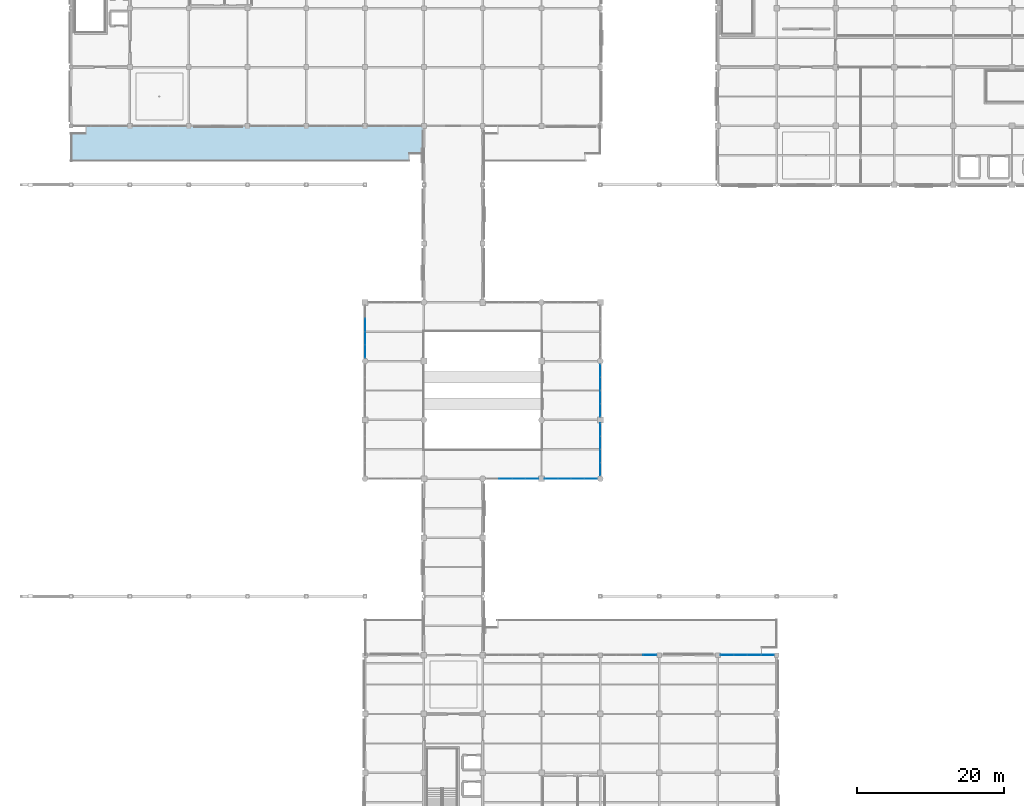
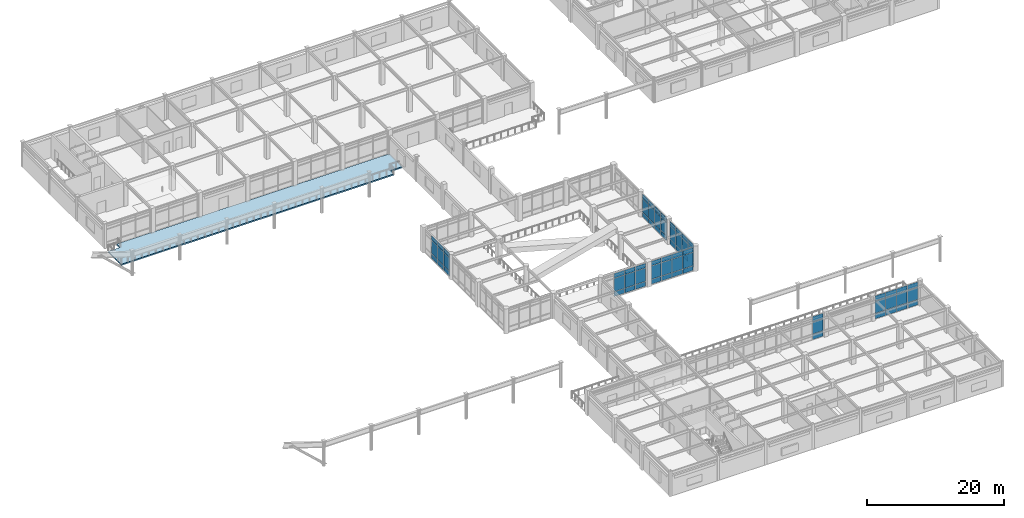
# One storey, part 56 of 78: 69 plates, 1 slab, 7 elements without a shape of their own.
"""IFC4 building model written with IfcOpenShell, lengths in metres."""

import ifcopenshell
import ifcopenshell.guid

model = None  # the IFC model being written
_history = None  # IfcOwnerHistory: only IFC2X3 demands one
_inside = {}  # id of a spatial element -> (the spatial element, [elements in it])
_under = {}  # id of a project, library or spatial element -> (it, [spatial elements below it])
_declared = {}  # id of a project -> (the project, [libraries it declares])
_typed = {}  # id of a type object -> (the type object, [elements of that type])
_made_of = {}  # id of a material, layer set ... -> (it, [elements and type objects made of it])


def new_model(schema):
    """Start an empty IFC model of exactly this schema.

    Asked for "IFC4X3", IfcOpenShell would pick the latest addendum, in which some entities
    have other attributes; the version numbers below select the first issue.
    IFC2X3 requires an IfcOwnerHistory on every rooted entity: one is made here for all.
    """
    global model, _history
    if schema == "IFC4X3":
        model = ifcopenshell.file(schema_version=(4, 3, 0, 0))
    else:
        model = ifcopenshell.file(schema=schema)
    _inside.clear()
    _under.clear()
    _declared.clear()
    _typed.clear()
    _made_of.clear()
    _history = None
    if model.schema == "IFC2X3":
        org = make("IfcOrganization", Name="unknown")
        user = make(
            "IfcPersonAndOrganization",
            ThePerson=make("IfcPerson", FamilyName="unknown"),
            TheOrganization=org,
        )
        app = make(
            "IfcApplication",
            ApplicationDeveloper=org,
            Version="unknown",
            ApplicationFullName="unknown",
            ApplicationIdentifier="unknown",
        )
        _history = make(
            "IfcOwnerHistory",
            OwningUser=user,
            OwningApplication=app,
            ChangeAction="ADDED",
            CreationDate=0,
        )
    return model


def make(cls, **values):
    """One entity of the class cls with the attributes given. An attribute that is None is left unset."""
    return model.create_entity(
        cls, **{name: value for name, value in values.items() if value is not None}
    )


def rooted(cls, **values):
    """An entity with a GlobalId (a new one), such as an element, a storey or a relation."""
    return make(cls, GlobalId=ifcopenshell.guid.new(), OwnerHistory=_history, **values)


def si_unit(unit_type, name, prefix=None):
    """IfcSIUnit, for example si_unit("LENGTHUNIT", "METRE", prefix="MILLI")."""
    return make("IfcSIUnit", UnitType=unit_type, Prefix=prefix, Name=name)


def assignment(units):
    """IfcUnitAssignment: the units of a project."""
    return None if units is None else make("IfcUnitAssignment", Units=units)


def point(xyz):
    """IfcCartesianPoint."""
    return None if xyz is None else make("IfcCartesianPoint", Coordinates=xyz)


def direction(xyz):
    """IfcDirection."""
    return None if xyz is None else make("IfcDirection", DirectionRatios=xyz)


def frame(location, z_axis=None, x_axis=None):
    """IfcAxis2Placement3D, a coordinate frame: its origin and axes. An axis left out is left unset."""
    return make(
        "IfcAxis2Placement3D",
        Location=point(location),
        Axis=direction(z_axis),
        RefDirection=direction(x_axis),
    )


def frame_2d(location, x_axis=None):
    """IfcAxis2Placement2D, a coordinate frame in the plane: its origin and x axis."""
    return make(
        "IfcAxis2Placement2D", Location=point(location), RefDirection=direction(x_axis)
    )


def origin():
    """The frame at (0, 0, 0) with its axes left unset."""
    return frame((0.0, 0.0, 0.0))


def origin_2d():
    """The frame at (0, 0) in the plane with its x axis left unset."""
    return frame_2d((0.0, 0.0))


def place(relative_to, where):
    """IfcLocalPlacement: puts the frame where relative to a parent placement (None: the world)."""
    return make(
        "IfcLocalPlacement", PlacementRelTo=relative_to, RelativePlacement=where
    )


def context(
    kind, dimensions, precision=None, world=None, true_north=None, identifier=None
):
    """IfcGeometricRepresentationContext, for example the 3D "Model" context."""
    return make(
        "IfcGeometricRepresentationContext",
        ContextIdentifier=identifier,
        ContextType=kind,
        CoordinateSpaceDimension=dimensions,
        Precision=precision,
        WorldCoordinateSystem=world,
        TrueNorth=true_north,
    )


def subcontext(parent, identifier, kind, view, scale=None):
    """IfcGeometricRepresentationSubContext, for example "Body" below "Model"."""
    return make(
        "IfcGeometricRepresentationSubContext",
        ContextIdentifier=identifier,
        ContextType=kind,
        ParentContext=parent,
        TargetScale=scale,
        TargetView=view,
    )


def project(units=None, contexts=None):
    """IfcProject with its units and contexts."""
    return rooted(
        "IfcProject",
        Name="project",
        RepresentationContexts=contexts,
        UnitsInContext=assignment(units),
    )


def spatial(cls, under=None, at=None, **own):
    """A site, building, storey or space (cls), placed at a placement, below another one or the project."""
    s = rooted(cls, ObjectPlacement=at, **own)
    if under is not None:
        _under.setdefault(under.id(), (under, []))[1].append(s)
    return s


def polyline(points):
    """IfcPolyline through the points."""
    return make("IfcPolyline", Points=[point(p) for p in points])


def profile(cls, at=None, kind="AREA", **sizes):
    """A parametric profile (cls). Its sizes go by their IFC names, for example OverallWidth=200.0."""
    return make(cls, ProfileType=kind, Position=at, **sizes)


def rectangle(**sizes):
    """IfcRectangleProfileDef."""
    return profile("IfcRectangleProfileDef", **sizes)


def outline(outer, holes=None, kind="AREA"):
    """IfcArbitraryClosedProfileDef: a profile drawn as a closed curve; with holes, ...WithVoids."""
    if holes is None:
        return make("IfcArbitraryClosedProfileDef", ProfileType=kind, OuterCurve=outer)
    return make(
        "IfcArbitraryProfileDefWithVoids",
        ProfileType=kind,
        OuterCurve=outer,
        InnerCurves=holes,
    )


def extrude(swept, where, along, depth):
    """IfcExtrudedAreaSolid: the profile swept, set in the frame where, extruded along a direction by depth."""
    return make(
        "IfcExtrudedAreaSolid",
        SweptArea=swept,
        Position=where,
        ExtrudedDirection=direction(along),
        Depth=depth,
    )


def shape(context_of_items, identifier, shape_type, items):
    """IfcShapeRepresentation: the items that make up one representation, for example the "Body"."""
    return make(
        "IfcShapeRepresentation",
        ContextOfItems=context_of_items,
        RepresentationIdentifier=identifier,
        RepresentationType=shape_type,
        Items=items,
    )


def material(Name=None, Category=None):
    """IfcMaterial."""
    return make("IfcMaterial", Name=Name, Category=Category)


def layer(
    of_material, thickness, ventilated=None, Name=None, Category=None, Priority=None
):
    """IfcMaterialLayer: one layer of a wall or slab, of a material (None: an air gap)."""
    return make(
        "IfcMaterialLayer",
        Material=of_material,
        LayerThickness=thickness,
        IsVentilated=ventilated,
        Name=Name,
        Category=Category,
        Priority=Priority,
    )


def layer_set(layers, Name=None):
    """IfcMaterialLayerSet."""
    return make("IfcMaterialLayerSet", MaterialLayers=layers, LayerSetName=Name)


def made_of(thing, what):
    """Note that an element or type object is made of a material, layer set ...; save() writes the relation."""
    if what is not None:
        _made_of.setdefault(what.id(), (what, []))[1].append(thing)
    return thing


def type_object(cls, material=None, **own):
    """A type object (cls), such as IfcWallType, which elements share."""
    return made_of(rooted(cls, **own), material)


def element(
    cls,
    number,
    at=None,
    inside=None,
    cuts=None,
    type_object=None,
    material=None,
    context=None,
    identifier="Body",
    shape_type=None,
    held_by="IfcProductDefinitionShape",
    body=None,
    shapes=None,
    **own,
):
    """One element of the class cls, such as IfcWall. Its Tag is "e" and its number.

    at: its placement. inside: the storey or other place that contains it. cuts: it is an
    opening in that element (IfcRelVoidsElement). A single representation is given by context,
    identifier, shape_type and body (its items); several are given by shapes. held_by: the class
    of the entity that holds the representations. save() writes the other relations.
    """
    e = rooted(cls, Tag="e%d" % number, ObjectPlacement=at, **own)
    if body is not None:
        shapes = [shape(context, identifier, shape_type, body)]
    if shapes is not None:
        e.Representation = make(held_by, Representations=shapes)
    if inside is not None:
        _inside.setdefault(inside.id(), (inside, []))[1].append(e)
    if cuts is not None:
        rooted(
            "IfcRelVoidsElement", RelatingBuildingElement=cuts, RelatedOpeningElement=e
        )
    if type_object is not None:
        _typed.setdefault(type_object.id(), (type_object, []))[1].append(e)
    return made_of(e, material)


def aggregate(whole, parts):
    """IfcRelAggregates: a whole, such as a stair, and the parts it consists of."""
    return rooted("IfcRelAggregates", RelatingObject=whole, RelatedObjects=parts)


def save(model, path):
    """Write the relations noted so far, then the file.

    IfcRelAggregates (storeys below a building ...), IfcRelContainedInSpatialStructure (elements
    in a storey), IfcRelDefinesByType, IfcRelAssociatesMaterial and IfcRelDeclares: one each for
    every whole, place, type object, material and project.
    """
    for whole, parts in _under.values():
        aggregate(whole, parts)
    for where, things in _inside.values():
        rooted(
            "IfcRelContainedInSpatialStructure",
            RelatedElements=things,
            RelatingStructure=where,
        )
    for kind, things in _typed.values():
        rooted("IfcRelDefinesByType", RelatedObjects=things, RelatingType=kind)
    for what, things in _made_of.values():
        rooted("IfcRelAssociatesMaterial", RelatedObjects=things, RelatingMaterial=what)
    for by, libraries in _declared.values():
        rooted("IfcRelDeclares", RelatingContext=by, RelatedDefinitions=libraries)
    model.write(path)


model = new_model("IFC4")

# Units and contexts
model_context = context("Model", 3, precision=1e-05, world=origin(), true_north=direction((0.0, 1.0)))
body_context = subcontext(model_context, "Body", "Model", "MODEL_VIEW")
ifc_project = project(units=[si_unit("LENGTHUNIT", "METRE"), si_unit("AREAUNIT", "SQUARE_METRE"), si_unit("VOLUMEUNIT", "CUBIC_METRE"), si_unit("PLANEANGLEUNIT", "RADIAN"), si_unit("MASSUNIT", "GRAM", prefix="KILO")], contexts=[model_context])

# Site, building, storey
site_placement = place(None, origin())
site = spatial("IfcSite", under=ifc_project, at=site_placement, CompositionType="ELEMENT")
building_placement = place(site_placement, origin())
building = spatial("IfcBuilding", under=site, at=building_placement, Name="Solmirada Galleria", CompositionType="ELEMENT")
storey_placement = place(building_placement, frame((0.0, 0.0, 23.89990234375)))
storey = spatial("IfcBuildingStorey", under=building, at=storey_placement, Name="L05", CompositionType="ELEMENT", Elevation=23.89990234375)

# Curtain wall, plates
ifc_material_1 = material(Name="Impact-resistant low-E double glazing", Category="glass")
curtain_wall_type_1 = type_object("IfcCurtainWallType", Name="CW-FZ3-L05-B4-L072", PredefinedType="NOTDEFINED", material=ifc_material_1)
curtain_wall_1_placement = place(storey_placement, origin())
curtain_wall_1 = element("IfcCurtainWall", 1, at=curtain_wall_1_placement, inside=storey, type_object=curtain_wall_type_1, Name="Terrace and arcade storefront CW-L05-166", PredefinedType="NOTDEFINED")
ifc_layer_1 = layer(ifc_material_1, 0.028076171875)
ifc_layer_set_1 = layer_set([ifc_layer_1], Name="Impact-resistant low-E double glazing")
plate_type_1 = type_object("IfcPlateType", Name="CW-PNL-CW33-T28", PredefinedType="CURTAIN_PANEL", material=ifc_layer_set_1)
plate_1_placement = place(storey_placement, frame((80.0, 65.31640625, 0.06005859375), z_axis=(0.0, 0.0, 1.0), x_axis=(0.0, 1.0, 0.0)))
plate_1 = element("IfcPlate", 2, at=plate_1_placement, type_object=plate_type_1, Name="CW33 panel 1.1", PredefinedType="CURTAIN_PANEL", context=body_context, shape_type="SweptSolid", body=[
    extrude(rectangle(XDim=1.708984375, YDim=0.028076171875, at=origin_2d()), origin(), (0.0, 0.0, 1.0), 0.81005859375),
])
plate_2_placement = place(storey_placement, frame((80.0, 65.31640625, 0.929931640625), z_axis=(0.0, 0.0, 1.0), x_axis=(0.0, 1.0, 0.0)))
plate_2 = element("IfcPlate", 3, at=plate_2_placement, type_object=plate_type_1, Name="CW33 panel 1.2", PredefinedType="CURTAIN_PANEL", context=body_context, shape_type="SweptSolid", body=[
    extrude(rectangle(XDim=1.708984375, YDim=0.028076171875, at=origin_2d()), origin(), (0.0, 0.0, 1.0), 2.35009765625),
])
plate_3_placement = place(storey_placement, frame((80.0, 65.31640625, 3.33984375), z_axis=(0.0, 0.0, 1.0), x_axis=(0.0, 1.0, 0.0)))
plate_3 = element("IfcPlate", 4, at=plate_3_placement, type_object=plate_type_1, Name="CW33 panel 1.3", PredefinedType="CURTAIN_PANEL", context=body_context, shape_type="SweptSolid", body=[
    extrude(rectangle(XDim=1.708984375, YDim=0.028076171875, at=origin_2d()), origin(), (0.0, 0.0, 1.0), 0.820068359375),
])
plate_4_placement = place(storey_placement, frame((80.0, 67.1005859375, 0.06005859375), z_axis=(0.0, 0.0, 1.0), x_axis=(0.0, 1.0, 0.0)))
plate_4 = element("IfcPlate", 5, at=plate_4_placement, type_object=plate_type_1, Name="CW33 panel 2.1", PredefinedType="CURTAIN_PANEL", context=body_context, shape_type="SweptSolid", body=[
    extrude(rectangle(XDim=1.739013671875, YDim=0.028076171875, at=origin_2d()), origin(), (0.0, 0.0, 1.0), 0.81005859375),
])
plate_5_placement = place(storey_placement, frame((80.0, 67.1005859375, 0.929931640625), z_axis=(0.0, 0.0, 1.0), x_axis=(0.0, 1.0, 0.0)))
plate_5 = element("IfcPlate", 6, at=plate_5_placement, type_object=plate_type_1, Name="CW33 panel 2.2", PredefinedType="CURTAIN_PANEL", context=body_context, shape_type="SweptSolid", body=[
    extrude(rectangle(XDim=1.739013671875, YDim=0.028076171875, at=origin_2d()), origin(), (0.0, 0.0, 1.0), 2.35009765625),
])
plate_6_placement = place(storey_placement, frame((80.0, 67.1005859375, 3.33984375), z_axis=(0.0, 0.0, 1.0), x_axis=(0.0, 1.0, 0.0)))
plate_6 = element("IfcPlate", 7, at=plate_6_placement, type_object=plate_type_1, Name="CW33 panel 2.3", PredefinedType="CURTAIN_PANEL", context=body_context, shape_type="SweptSolid", body=[
    extrude(rectangle(XDim=1.739013671875, YDim=0.028076171875, at=origin_2d()), origin(), (0.0, 0.0, 1.0), 0.820068359375),
])
plate_7_placement = place(storey_placement, frame((80.0, 68.8994140625, 0.06005859375), z_axis=(0.0, 0.0, 1.0), x_axis=(0.0, 1.0, 0.0)))
plate_7 = element("IfcPlate", 8, at=plate_7_placement, type_object=plate_type_1, Name="CW33 panel 3.1", PredefinedType="CURTAIN_PANEL", context=body_context, shape_type="SweptSolid", body=[
    extrude(rectangle(XDim=1.739013671875, YDim=0.028076171875, at=origin_2d()), origin(), (0.0, 0.0, 1.0), 0.81005859375),
])
plate_8_placement = place(storey_placement, frame((80.0, 68.8994140625, 0.929931640625), z_axis=(0.0, 0.0, 1.0), x_axis=(0.0, 1.0, 0.0)))
plate_8 = element("IfcPlate", 9, at=plate_8_placement, type_object=plate_type_1, Name="CW33 panel 3.2", PredefinedType="CURTAIN_PANEL", context=body_context, shape_type="SweptSolid", body=[
    extrude(rectangle(XDim=1.739013671875, YDim=0.028076171875, at=origin_2d()), origin(), (0.0, 0.0, 1.0), 2.35009765625),
])
plate_9_placement = place(storey_placement, frame((80.0, 68.8994140625, 3.33984375), z_axis=(0.0, 0.0, 1.0), x_axis=(0.0, 1.0, 0.0)))
plate_9 = element("IfcPlate", 10, at=plate_9_placement, type_object=plate_type_1, Name="CW33 panel 3.3", PredefinedType="CURTAIN_PANEL", context=body_context, shape_type="SweptSolid", body=[
    extrude(rectangle(XDim=1.739013671875, YDim=0.028076171875, at=origin_2d()), origin(), (0.0, 0.0, 1.0), 0.820068359375),
])
aggregate(curtain_wall_1, [plate_1, plate_2, plate_3, plate_4, plate_5, plate_6, plate_7, plate_8, plate_9])

curtain_wall_2_placement = place(storey_placement, origin())
curtain_wall_2 = element("IfcCurtainWall", 11, at=curtain_wall_2_placement, inside=storey, type_object=curtain_wall_type_1, Name="Terrace and arcade storefront CW-L05-177", PredefinedType="NOTDEFINED")
plate_10_placement = place(storey_placement, frame((112.0, 62.68359375, 0.06005859375), z_axis=(0.0, 0.0, 1.0), x_axis=(0.0, -1.0, 0.0)))
plate_10 = element("IfcPlate", 12, at=plate_10_placement, type_object=plate_type_1, Name="CW33 panel 1.1", PredefinedType="CURTAIN_PANEL", context=body_context, shape_type="SweptSolid", body=[
    extrude(rectangle(XDim=1.708984375, YDim=0.028076171875, at=origin_2d()), origin(), (0.0, 0.0, 1.0), 0.81005859375),
])
plate_11_placement = place(storey_placement, frame((112.0, 62.68359375, 0.929931640625), z_axis=(0.0, 0.0, 1.0), x_axis=(0.0, -1.0, 0.0)))
plate_11 = element("IfcPlate", 13, at=plate_11_placement, type_object=plate_type_1, Name="CW33 panel 1.2", PredefinedType="CURTAIN_PANEL", context=body_context, shape_type="SweptSolid", body=[
    extrude(rectangle(XDim=1.708984375, YDim=0.028076171875, at=origin_2d()), origin(), (0.0, 0.0, 1.0), 2.35009765625),
])
plate_12_placement = place(storey_placement, frame((112.0, 62.68359375, 3.33984375), z_axis=(0.0, 0.0, 1.0), x_axis=(0.0, -1.0, 0.0)))
plate_12 = element("IfcPlate", 14, at=plate_12_placement, type_object=plate_type_1, Name="CW33 panel 1.3", PredefinedType="CURTAIN_PANEL", context=body_context, shape_type="SweptSolid", body=[
    extrude(rectangle(XDim=1.708984375, YDim=0.028076171875, at=origin_2d()), origin(), (0.0, 0.0, 1.0), 0.820068359375),
])
plate_13_placement = place(storey_placement, frame((112.0, 60.8994140625, 0.06005859375), z_axis=(0.0, 0.0, 1.0), x_axis=(0.0, -1.0, 0.0)))
plate_13 = element("IfcPlate", 15, at=plate_13_placement, type_object=plate_type_1, Name="CW33 panel 2.1", PredefinedType="CURTAIN_PANEL", context=body_context, shape_type="SweptSolid", body=[
    extrude(rectangle(XDim=1.739013671875, YDim=0.028076171875, at=origin_2d()), origin(), (0.0, 0.0, 1.0), 0.81005859375),
])
plate_14_placement = place(storey_placement, frame((112.0, 60.8994140625, 0.929931640625), z_axis=(0.0, 0.0, 1.0), x_axis=(0.0, -1.0, 0.0)))
plate_14 = element("IfcPlate", 16, at=plate_14_placement, type_object=plate_type_1, Name="CW33 panel 2.2", PredefinedType="CURTAIN_PANEL", context=body_context, shape_type="SweptSolid", body=[
    extrude(rectangle(XDim=1.739013671875, YDim=0.028076171875, at=origin_2d()), origin(), (0.0, 0.0, 1.0), 2.35009765625),
])
plate_15_placement = place(storey_placement, frame((112.0, 60.8994140625, 3.33984375), z_axis=(0.0, 0.0, 1.0), x_axis=(0.0, -1.0, 0.0)))
plate_15 = element("IfcPlate", 17, at=plate_15_placement, type_object=plate_type_1, Name="CW33 panel 2.3", PredefinedType="CURTAIN_PANEL", context=body_context, shape_type="SweptSolid", body=[
    extrude(rectangle(XDim=1.739013671875, YDim=0.028076171875, at=origin_2d()), origin(), (0.0, 0.0, 1.0), 0.820068359375),
])
plate_16_placement = place(storey_placement, frame((112.0, 59.1005859375, 0.06005859375), z_axis=(0.0, 0.0, 1.0), x_axis=(0.0, -1.0, 0.0)))
plate_16 = element("IfcPlate", 18, at=plate_16_placement, type_object=plate_type_1, Name="CW33 panel 3.1", PredefinedType="CURTAIN_PANEL", context=body_context, shape_type="SweptSolid", body=[
    extrude(rectangle(XDim=1.739013671875, YDim=0.028076171875, at=origin_2d()), origin(), (0.0, 0.0, 1.0), 0.81005859375),
])
plate_17_placement = place(storey_placement, frame((112.0, 59.1005859375, 0.929931640625), z_axis=(0.0, 0.0, 1.0), x_axis=(0.0, -1.0, 0.0)))
plate_17 = element("IfcPlate", 19, at=plate_17_placement, type_object=plate_type_1, Name="CW33 panel 3.2", PredefinedType="CURTAIN_PANEL", context=body_context, shape_type="SweptSolid", body=[
    extrude(rectangle(XDim=1.739013671875, YDim=0.028076171875, at=origin_2d()), origin(), (0.0, 0.0, 1.0), 2.35009765625),
])
plate_18_placement = place(storey_placement, frame((112.0, 59.1005859375, 3.33984375), z_axis=(0.0, 0.0, 1.0), x_axis=(0.0, -1.0, 0.0)))
plate_18 = element("IfcPlate", 20, at=plate_18_placement, type_object=plate_type_1, Name="CW33 panel 3.3", PredefinedType="CURTAIN_PANEL", context=body_context, shape_type="SweptSolid", body=[
    extrude(rectangle(XDim=1.739013671875, YDim=0.028076171875, at=origin_2d()), origin(), (0.0, 0.0, 1.0), 0.820068359375),
])
plate_19_placement = place(storey_placement, frame((112.0, 57.31640625, 0.06005859375), z_axis=(0.0, 0.0, 1.0), x_axis=(0.0, -1.0, 0.0)))
plate_19 = element("IfcPlate", 21, at=plate_19_placement, type_object=plate_type_1, Name="CW33 panel 4.1", PredefinedType="CURTAIN_PANEL", context=body_context, shape_type="SweptSolid", body=[
    extrude(rectangle(XDim=1.708984375, YDim=0.028076171875, at=origin_2d()), origin(), (0.0, 0.0, 1.0), 0.81005859375),
])
plate_20_placement = place(storey_placement, frame((112.0, 57.31640625, 0.929931640625), z_axis=(0.0, 0.0, 1.0), x_axis=(0.0, -1.0, 0.0)))
plate_20 = element("IfcPlate", 22, at=plate_20_placement, type_object=plate_type_1, Name="CW33 panel 4.2", PredefinedType="CURTAIN_PANEL", context=body_context, shape_type="SweptSolid", body=[
    extrude(rectangle(XDim=1.708984375, YDim=0.028076171875, at=origin_2d()), origin(), (0.0, 0.0, 1.0), 2.35009765625),
])
plate_21_placement = place(storey_placement, frame((112.0, 57.31640625, 3.33984375), z_axis=(0.0, 0.0, 1.0), x_axis=(0.0, -1.0, 0.0)))
plate_21 = element("IfcPlate", 23, at=plate_21_placement, type_object=plate_type_1, Name="CW33 panel 4.3", PredefinedType="CURTAIN_PANEL", context=body_context, shape_type="SweptSolid", body=[
    extrude(rectangle(XDim=1.708984375, YDim=0.028076171875, at=origin_2d()), origin(), (0.0, 0.0, 1.0), 0.820068359375),
])
aggregate(curtain_wall_2, [plate_10, plate_11, plate_12, plate_13, plate_14, plate_15, plate_16, plate_17, plate_18, plate_19, plate_20, plate_21])

curtain_wall_3_placement = place(storey_placement, origin())
curtain_wall_3 = element("IfcCurtainWall", 24, at=curtain_wall_3_placement, inside=storey, type_object=curtain_wall_type_1, Name="Terrace and arcade storefront CW-L05-178", PredefinedType="NOTDEFINED")
plate_22_placement = place(storey_placement, frame((112.0, 54.68359375, 0.06005859375), z_axis=(0.0, 0.0, 1.0), x_axis=(0.0, -1.0, 0.0)))
plate_22 = element("IfcPlate", 25, at=plate_22_placement, type_object=plate_type_1, Name="CW33 panel 1.1", PredefinedType="CURTAIN_PANEL", context=body_context, shape_type="SweptSolid", body=[
    extrude(rectangle(XDim=1.708984375, YDim=0.028076171875, at=origin_2d()), origin(), (0.0, 0.0, 1.0), 0.81005859375),
])
plate_23_placement = place(storey_placement, frame((112.0, 54.68359375, 0.929931640625), z_axis=(0.0, 0.0, 1.0), x_axis=(0.0, -1.0, 0.0)))
plate_23 = element("IfcPlate", 26, at=plate_23_placement, type_object=plate_type_1, Name="CW33 panel 1.2", PredefinedType="CURTAIN_PANEL", context=body_context, shape_type="SweptSolid", body=[
    extrude(rectangle(XDim=1.708984375, YDim=0.028076171875, at=origin_2d()), origin(), (0.0, 0.0, 1.0), 2.35009765625),
])
plate_24_placement = place(storey_placement, frame((112.0, 54.68359375, 3.33984375), z_axis=(0.0, 0.0, 1.0), x_axis=(0.0, -1.0, 0.0)))
plate_24 = element("IfcPlate", 27, at=plate_24_placement, type_object=plate_type_1, Name="CW33 panel 1.3", PredefinedType="CURTAIN_PANEL", context=body_context, shape_type="SweptSolid", body=[
    extrude(rectangle(XDim=1.708984375, YDim=0.028076171875, at=origin_2d()), origin(), (0.0, 0.0, 1.0), 0.820068359375),
])
plate_25_placement = place(storey_placement, frame((112.0, 52.8994140625, 0.06005859375), z_axis=(0.0, 0.0, 1.0), x_axis=(0.0, -1.0, 0.0)))
plate_25 = element("IfcPlate", 28, at=plate_25_placement, type_object=plate_type_1, Name="CW33 panel 2.1", PredefinedType="CURTAIN_PANEL", context=body_context, shape_type="SweptSolid", body=[
    extrude(rectangle(XDim=1.739013671875, YDim=0.028076171875, at=origin_2d()), origin(), (0.0, 0.0, 1.0), 0.81005859375),
])
plate_26_placement = place(storey_placement, frame((112.0, 52.8994140625, 0.929931640625), z_axis=(0.0, 0.0, 1.0), x_axis=(0.0, -1.0, 0.0)))
plate_26 = element("IfcPlate", 29, at=plate_26_placement, type_object=plate_type_1, Name="CW33 panel 2.2", PredefinedType="CURTAIN_PANEL", context=body_context, shape_type="SweptSolid", body=[
    extrude(rectangle(XDim=1.739013671875, YDim=0.028076171875, at=origin_2d()), origin(), (0.0, 0.0, 1.0), 2.35009765625),
])
plate_27_placement = place(storey_placement, frame((112.0, 52.8994140625, 3.33984375), z_axis=(0.0, 0.0, 1.0), x_axis=(0.0, -1.0, 0.0)))
plate_27 = element("IfcPlate", 30, at=plate_27_placement, type_object=plate_type_1, Name="CW33 panel 2.3", PredefinedType="CURTAIN_PANEL", context=body_context, shape_type="SweptSolid", body=[
    extrude(rectangle(XDim=1.739013671875, YDim=0.028076171875, at=origin_2d()), origin(), (0.0, 0.0, 1.0), 0.820068359375),
])
plate_28_placement = place(storey_placement, frame((112.0, 51.1005859375, 0.06005859375), z_axis=(0.0, 0.0, 1.0), x_axis=(0.0, -1.0, 0.0)))
plate_28 = element("IfcPlate", 31, at=plate_28_placement, type_object=plate_type_1, Name="CW33 panel 3.1", PredefinedType="CURTAIN_PANEL", context=body_context, shape_type="SweptSolid", body=[
    extrude(rectangle(XDim=1.739013671875, YDim=0.028076171875, at=origin_2d()), origin(), (0.0, 0.0, 1.0), 0.81005859375),
])
plate_29_placement = place(storey_placement, frame((112.0, 51.1005859375, 0.929931640625), z_axis=(0.0, 0.0, 1.0), x_axis=(0.0, -1.0, 0.0)))
plate_29 = element("IfcPlate", 32, at=plate_29_placement, type_object=plate_type_1, Name="CW33 panel 3.2", PredefinedType="CURTAIN_PANEL", context=body_context, shape_type="SweptSolid", body=[
    extrude(rectangle(XDim=1.739013671875, YDim=0.028076171875, at=origin_2d()), origin(), (0.0, 0.0, 1.0), 2.35009765625),
])
plate_30_placement = place(storey_placement, frame((112.0, 51.1005859375, 3.33984375), z_axis=(0.0, 0.0, 1.0), x_axis=(0.0, -1.0, 0.0)))
plate_30 = element("IfcPlate", 33, at=plate_30_placement, type_object=plate_type_1, Name="CW33 panel 3.3", PredefinedType="CURTAIN_PANEL", context=body_context, shape_type="SweptSolid", body=[
    extrude(rectangle(XDim=1.739013671875, YDim=0.028076171875, at=origin_2d()), origin(), (0.0, 0.0, 1.0), 0.820068359375),
])
plate_31_placement = place(storey_placement, frame((112.0, 49.31640625, 0.06005859375), z_axis=(0.0, 0.0, 1.0), x_axis=(0.0, -1.0, 0.0)))
plate_31 = element("IfcPlate", 34, at=plate_31_placement, type_object=plate_type_1, Name="CW33 panel 4.1", PredefinedType="CURTAIN_PANEL", context=body_context, shape_type="SweptSolid", body=[
    extrude(rectangle(XDim=1.708984375, YDim=0.028076171875, at=origin_2d()), origin(), (0.0, 0.0, 1.0), 0.81005859375),
])
plate_32_placement = place(storey_placement, frame((112.0, 49.31640625, 0.929931640625), z_axis=(0.0, 0.0, 1.0), x_axis=(0.0, -1.0, 0.0)))
plate_32 = element("IfcPlate", 35, at=plate_32_placement, type_object=plate_type_1, Name="CW33 panel 4.2", PredefinedType="CURTAIN_PANEL", context=body_context, shape_type="SweptSolid", body=[
    extrude(rectangle(XDim=1.708984375, YDim=0.028076171875, at=origin_2d()), origin(), (0.0, 0.0, 1.0), 2.35009765625),
])
plate_33_placement = place(storey_placement, frame((112.0, 49.31640625, 3.33984375), z_axis=(0.0, 0.0, 1.0), x_axis=(0.0, -1.0, 0.0)))
plate_33 = element("IfcPlate", 36, at=plate_33_placement, type_object=plate_type_1, Name="CW33 panel 4.3", PredefinedType="CURTAIN_PANEL", context=body_context, shape_type="SweptSolid", body=[
    extrude(rectangle(XDim=1.708984375, YDim=0.028076171875, at=origin_2d()), origin(), (0.0, 0.0, 1.0), 0.820068359375),
])
aggregate(curtain_wall_3, [plate_22, plate_23, plate_24, plate_25, plate_26, plate_27, plate_28, plate_29, plate_30, plate_31, plate_32, plate_33])

curtain_wall_4_placement = place(storey_placement, origin())
curtain_wall_4 = element("IfcCurtainWall", 37, at=curtain_wall_4_placement, inside=storey, type_object=curtain_wall_type_1, Name="Terrace and arcade storefront CW-L05-179", PredefinedType="NOTDEFINED")
plate_34_placement = place(storey_placement, frame((110.68359375, 48.0, 0.06005859375), z_axis=(0.0, 0.0, 1.0), x_axis=(-1.0, 0.0, 0.0)))
plate_34 = element("IfcPlate", 38, at=plate_34_placement, type_object=plate_type_1, Name="CW33 panel 1.1", PredefinedType="CURTAIN_PANEL", context=body_context, shape_type="SweptSolid", body=[
    extrude(rectangle(XDim=1.708984375, YDim=0.028076171875, at=origin_2d()), origin(), (0.0, 0.0, 1.0), 0.81005859375),
])
plate_35_placement = place(storey_placement, frame((110.68359375, 48.0, 0.929931640625), z_axis=(0.0, 0.0, 1.0), x_axis=(-1.0, 0.0, 0.0)))
plate_35 = element("IfcPlate", 39, at=plate_35_placement, type_object=plate_type_1, Name="CW33 panel 1.2", PredefinedType="CURTAIN_PANEL", context=body_context, shape_type="SweptSolid", body=[
    extrude(rectangle(XDim=1.708984375, YDim=0.028076171875, at=origin_2d()), origin(), (0.0, 0.0, 1.0), 2.35009765625),
])
plate_36_placement = place(storey_placement, frame((110.68359375, 48.0, 3.33984375), z_axis=(0.0, 0.0, 1.0), x_axis=(-1.0, 0.0, 0.0)))
plate_36 = element("IfcPlate", 40, at=plate_36_placement, type_object=plate_type_1, Name="CW33 panel 1.3", PredefinedType="CURTAIN_PANEL", context=body_context, shape_type="SweptSolid", body=[
    extrude(rectangle(XDim=1.708984375, YDim=0.028076171875, at=origin_2d()), origin(), (0.0, 0.0, 1.0), 0.820068359375),
])
plate_37_placement = place(storey_placement, frame((108.8994140625, 48.0, 0.06005859375), z_axis=(0.0, 0.0, 1.0), x_axis=(-1.0, 0.0, 0.0)))
plate_37 = element("IfcPlate", 41, at=plate_37_placement, type_object=plate_type_1, Name="CW33 panel 2.1", PredefinedType="CURTAIN_PANEL", context=body_context, shape_type="SweptSolid", body=[
    extrude(rectangle(XDim=1.739013671875, YDim=0.028076171875, at=origin_2d()), origin(), (0.0, 0.0, 1.0), 0.81005859375),
])
plate_38_placement = place(storey_placement, frame((108.8994140625, 48.0, 0.929931640625), z_axis=(0.0, 0.0, 1.0), x_axis=(-1.0, 0.0, 0.0)))
plate_38 = element("IfcPlate", 42, at=plate_38_placement, type_object=plate_type_1, Name="CW33 panel 2.2", PredefinedType="CURTAIN_PANEL", context=body_context, shape_type="SweptSolid", body=[
    extrude(rectangle(XDim=1.739013671875, YDim=0.028076171875, at=origin_2d()), origin(), (0.0, 0.0, 1.0), 2.35009765625),
])
plate_39_placement = place(storey_placement, frame((108.8994140625, 48.0, 3.33984375), z_axis=(0.0, 0.0, 1.0), x_axis=(-1.0, 0.0, 0.0)))
plate_39 = element("IfcPlate", 43, at=plate_39_placement, type_object=plate_type_1, Name="CW33 panel 2.3", PredefinedType="CURTAIN_PANEL", context=body_context, shape_type="SweptSolid", body=[
    extrude(rectangle(XDim=1.739013671875, YDim=0.028076171875, at=origin_2d()), origin(), (0.0, 0.0, 1.0), 0.820068359375),
])
plate_40_placement = place(storey_placement, frame((107.1005859375, 48.0, 0.06005859375), z_axis=(0.0, 0.0, 1.0), x_axis=(-1.0, 0.0, 0.0)))
plate_40 = element("IfcPlate", 44, at=plate_40_placement, type_object=plate_type_1, Name="CW33 panel 3.1", PredefinedType="CURTAIN_PANEL", context=body_context, shape_type="SweptSolid", body=[
    extrude(rectangle(XDim=1.739013671875, YDim=0.028076171875, at=origin_2d()), origin(), (0.0, 0.0, 1.0), 0.81005859375),
])
plate_41_placement = place(storey_placement, frame((107.1005859375, 48.0, 0.929931640625), z_axis=(0.0, 0.0, 1.0), x_axis=(-1.0, 0.0, 0.0)))
plate_41 = element("IfcPlate", 45, at=plate_41_placement, type_object=plate_type_1, Name="CW33 panel 3.2", PredefinedType="CURTAIN_PANEL", context=body_context, shape_type="SweptSolid", body=[
    extrude(rectangle(XDim=1.739013671875, YDim=0.028076171875, at=origin_2d()), origin(), (0.0, 0.0, 1.0), 2.35009765625),
])
plate_42_placement = place(storey_placement, frame((107.1005859375, 48.0, 3.33984375), z_axis=(0.0, 0.0, 1.0), x_axis=(-1.0, 0.0, 0.0)))
plate_42 = element("IfcPlate", 46, at=plate_42_placement, type_object=plate_type_1, Name="CW33 panel 3.3", PredefinedType="CURTAIN_PANEL", context=body_context, shape_type="SweptSolid", body=[
    extrude(rectangle(XDim=1.739013671875, YDim=0.028076171875, at=origin_2d()), origin(), (0.0, 0.0, 1.0), 0.820068359375),
])
plate_43_placement = place(storey_placement, frame((105.31640625, 48.0, 0.06005859375), z_axis=(0.0, 0.0, 1.0), x_axis=(-1.0, 0.0, 0.0)))
plate_43 = element("IfcPlate", 47, at=plate_43_placement, type_object=plate_type_1, Name="CW33 panel 4.1", PredefinedType="CURTAIN_PANEL", context=body_context, shape_type="SweptSolid", body=[
    extrude(rectangle(XDim=1.708984375, YDim=0.028076171875, at=origin_2d()), origin(), (0.0, 0.0, 1.0), 0.81005859375),
])
plate_44_placement = place(storey_placement, frame((105.31640625, 48.0, 0.929931640625), z_axis=(0.0, 0.0, 1.0), x_axis=(-1.0, 0.0, 0.0)))
plate_44 = element("IfcPlate", 48, at=plate_44_placement, type_object=plate_type_1, Name="CW33 panel 4.2", PredefinedType="CURTAIN_PANEL", context=body_context, shape_type="SweptSolid", body=[
    extrude(rectangle(XDim=1.708984375, YDim=0.028076171875, at=origin_2d()), origin(), (0.0, 0.0, 1.0), 2.35009765625),
])
plate_45_placement = place(storey_placement, frame((105.31640625, 48.0, 3.33984375), z_axis=(0.0, 0.0, 1.0), x_axis=(-1.0, 0.0, 0.0)))
plate_45 = element("IfcPlate", 49, at=plate_45_placement, type_object=plate_type_1, Name="CW33 panel 4.3", PredefinedType="CURTAIN_PANEL", context=body_context, shape_type="SweptSolid", body=[
    extrude(rectangle(XDim=1.708984375, YDim=0.028076171875, at=origin_2d()), origin(), (0.0, 0.0, 1.0), 0.820068359375),
])
aggregate(curtain_wall_4, [plate_34, plate_35, plate_36, plate_37, plate_38, plate_39, plate_40, plate_41, plate_42, plate_43, plate_44, plate_45])

curtain_wall_5_placement = place(storey_placement, origin())
curtain_wall_5 = element("IfcCurtainWall", 50, at=curtain_wall_5_placement, inside=storey, type_object=curtain_wall_type_1, Name="Terrace and arcade storefront CW-L05-180", PredefinedType="NOTDEFINED")
plate_46_placement = place(storey_placement, frame((102.68359375, 48.0, 0.06005859375), z_axis=(0.0, 0.0, 1.0), x_axis=(-1.0, 0.0, 0.0)))
plate_46 = element("IfcPlate", 51, at=plate_46_placement, type_object=plate_type_1, Name="CW33 panel 1.1", PredefinedType="CURTAIN_PANEL", context=body_context, shape_type="SweptSolid", body=[
    extrude(rectangle(XDim=1.708984375, YDim=0.028076171875, at=origin_2d()), origin(), (0.0, 0.0, 1.0), 0.81005859375),
])
plate_47_placement = place(storey_placement, frame((102.68359375, 48.0, 0.929931640625), z_axis=(0.0, 0.0, 1.0), x_axis=(-1.0, 0.0, 0.0)))
plate_47 = element("IfcPlate", 52, at=plate_47_placement, type_object=plate_type_1, Name="CW33 panel 1.2", PredefinedType="CURTAIN_PANEL", context=body_context, shape_type="SweptSolid", body=[
    extrude(rectangle(XDim=1.708984375, YDim=0.028076171875, at=origin_2d()), origin(), (0.0, 0.0, 1.0), 2.35009765625),
])
plate_48_placement = place(storey_placement, frame((102.68359375, 48.0, 3.33984375), z_axis=(0.0, 0.0, 1.0), x_axis=(-1.0, 0.0, 0.0)))
plate_48 = element("IfcPlate", 53, at=plate_48_placement, type_object=plate_type_1, Name="CW33 panel 1.3", PredefinedType="CURTAIN_PANEL", context=body_context, shape_type="SweptSolid", body=[
    extrude(rectangle(XDim=1.708984375, YDim=0.028076171875, at=origin_2d()), origin(), (0.0, 0.0, 1.0), 0.820068359375),
])
plate_49_placement = place(storey_placement, frame((100.8994140625, 48.0, 0.06005859375), z_axis=(0.0, 0.0, 1.0), x_axis=(-1.0, 0.0, 0.0)))
plate_49 = element("IfcPlate", 54, at=plate_49_placement, type_object=plate_type_1, Name="CW33 panel 2.1", PredefinedType="CURTAIN_PANEL", context=body_context, shape_type="SweptSolid", body=[
    extrude(rectangle(XDim=1.739013671875, YDim=0.028076171875, at=origin_2d()), origin(), (0.0, 0.0, 1.0), 0.81005859375),
])
plate_50_placement = place(storey_placement, frame((100.8994140625, 48.0, 0.929931640625), z_axis=(0.0, 0.0, 1.0), x_axis=(-1.0, 0.0, 0.0)))
plate_50 = element("IfcPlate", 55, at=plate_50_placement, type_object=plate_type_1, Name="CW33 panel 2.2", PredefinedType="CURTAIN_PANEL", context=body_context, shape_type="SweptSolid", body=[
    extrude(rectangle(XDim=1.739013671875, YDim=0.028076171875, at=origin_2d()), origin(), (0.0, 0.0, 1.0), 2.35009765625),
])
plate_51_placement = place(storey_placement, frame((100.8994140625, 48.0, 3.33984375), z_axis=(0.0, 0.0, 1.0), x_axis=(-1.0, 0.0, 0.0)))
plate_51 = element("IfcPlate", 56, at=plate_51_placement, type_object=plate_type_1, Name="CW33 panel 2.3", PredefinedType="CURTAIN_PANEL", context=body_context, shape_type="SweptSolid", body=[
    extrude(rectangle(XDim=1.739013671875, YDim=0.028076171875, at=origin_2d()), origin(), (0.0, 0.0, 1.0), 0.820068359375),
])
plate_52_placement = place(storey_placement, frame((99.1005859375, 48.0, 0.06005859375), z_axis=(0.0, 0.0, 1.0), x_axis=(-1.0, 0.0, 0.0)))
plate_52 = element("IfcPlate", 57, at=plate_52_placement, type_object=plate_type_1, Name="CW33 panel 3.1", PredefinedType="CURTAIN_PANEL", context=body_context, shape_type="SweptSolid", body=[
    extrude(rectangle(XDim=1.739013671875, YDim=0.028076171875, at=origin_2d()), origin(), (0.0, 0.0, 1.0), 0.81005859375),
])
plate_53_placement = place(storey_placement, frame((99.1005859375, 48.0, 0.929931640625), z_axis=(0.0, 0.0, 1.0), x_axis=(-1.0, 0.0, 0.0)))
plate_53 = element("IfcPlate", 58, at=plate_53_placement, type_object=plate_type_1, Name="CW33 panel 3.2", PredefinedType="CURTAIN_PANEL", context=body_context, shape_type="SweptSolid", body=[
    extrude(rectangle(XDim=1.739013671875, YDim=0.028076171875, at=origin_2d()), origin(), (0.0, 0.0, 1.0), 2.35009765625),
])
plate_54_placement = place(storey_placement, frame((99.1005859375, 48.0, 3.33984375), z_axis=(0.0, 0.0, 1.0), x_axis=(-1.0, 0.0, 0.0)))
plate_54 = element("IfcPlate", 59, at=plate_54_placement, type_object=plate_type_1, Name="CW33 panel 3.3", PredefinedType="CURTAIN_PANEL", context=body_context, shape_type="SweptSolid", body=[
    extrude(rectangle(XDim=1.739013671875, YDim=0.028076171875, at=origin_2d()), origin(), (0.0, 0.0, 1.0), 0.820068359375),
])
aggregate(curtain_wall_5, [plate_46, plate_47, plate_48, plate_49, plate_50, plate_51, plate_52, plate_53, plate_54])

curtain_wall_type_2 = type_object("IfcCurtainWallType", Name="CW-FZ5-L05-B4-L074", PredefinedType="NOTDEFINED", material=ifc_material_1)
curtain_wall_6_placement = place(storey_placement, origin())
curtain_wall_6 = element("IfcCurtainWall", 60, at=curtain_wall_6_placement, inside=storey, type_object=curtain_wall_type_2, Name="Terrace and arcade storefront CW-L05-183", PredefinedType="NOTDEFINED")
ifc_layer_2 = layer(ifc_material_1, 0.048095703125)
ifc_layer_set_2 = layer_set([ifc_layer_2], Name="Impact-resistant low-E double glazing")
plate_type_2 = type_object("IfcPlateType", Name="CW-PNL-CW37-T48", PredefinedType="CURTAIN_PANEL", material=ifc_layer_set_2)
plate_55_placement = place(storey_placement, frame((118.73974609375, 24.0, 0.06005859375), z_axis=(0.0, 0.0, 1.0), x_axis=(1.0, 0.0, 0.0)))
plate_55 = element("IfcPlate", 61, at=plate_55_placement, type_object=plate_type_2, Name="CW37 panel 4.1", PredefinedType="CURTAIN_PANEL", context=body_context, shape_type="SweptSolid", body=[
    extrude(rectangle(XDim=1.74658203125, YDim=0.048095703125, at=origin_2d()), origin(), (0.0, 0.0, 1.0), 0.929931640625),
])
plate_56_placement = place(storey_placement, frame((118.73974609375, 24.0, 1.050048828125), z_axis=(0.0, 0.0, 1.0), x_axis=(1.0, 0.0, 0.0)))
plate_56 = element("IfcPlate", 62, at=plate_56_placement, type_object=plate_type_2, Name="CW37 panel 4.2", PredefinedType="CURTAIN_PANEL", context=body_context, shape_type="SweptSolid", body=[
    extrude(rectangle(XDim=1.74658203125, YDim=0.048095703125, at=origin_2d()), origin(), (0.0, 0.0, 1.0), 2.1298828125),
])
plate_57_placement = place(storey_placement, frame((118.73974609375, 24.0, 3.240234375), z_axis=(0.0, 0.0, 1.0), x_axis=(1.0, 0.0, 0.0)))
plate_57 = element("IfcPlate", 63, at=plate_57_placement, type_object=plate_type_2, Name="CW37 panel 4.3", PredefinedType="CURTAIN_PANEL", context=body_context, shape_type="SweptSolid", body=[
    extrude(rectangle(XDim=1.74658203125, YDim=0.048095703125, at=origin_2d()), origin(), (0.0, 0.0, 1.0), 0.919921875),
])
aggregate(curtain_wall_6, [plate_55, plate_56, plate_57])

curtain_wall_7_placement = place(storey_placement, origin())
curtain_wall_7 = element("IfcCurtainWall", 64, at=curtain_wall_7_placement, inside=storey, type_object=curtain_wall_type_2, Name="Terrace and arcade storefront CW-L05-184", PredefinedType="NOTDEFINED")
plate_58_placement = place(storey_placement, frame((129.26025390625, 24.0, 0.06005859375), z_axis=(0.0, 0.0, 1.0), x_axis=(1.0, 0.0, 0.0)))
plate_58 = element("IfcPlate", 65, at=plate_58_placement, type_object=plate_type_2, Name="CW37 panel 1.1", PredefinedType="CURTAIN_PANEL", context=body_context, shape_type="SweptSolid", body=[
    extrude(rectangle(XDim=1.74658203125, YDim=0.048095703125, at=origin_2d()), origin(), (0.0, 0.0, 1.0), 0.929931640625),
])
plate_59_placement = place(storey_placement, frame((129.26025390625, 24.0, 1.050048828125), z_axis=(0.0, 0.0, 1.0), x_axis=(1.0, 0.0, 0.0)))
plate_59 = element("IfcPlate", 66, at=plate_59_placement, type_object=plate_type_2, Name="CW37 panel 1.2", PredefinedType="CURTAIN_PANEL", context=body_context, shape_type="SweptSolid", body=[
    extrude(rectangle(XDim=1.74658203125, YDim=0.048095703125, at=origin_2d()), origin(), (0.0, 0.0, 1.0), 2.1298828125),
])
plate_60_placement = place(storey_placement, frame((129.26025390625, 24.0, 3.240234375), z_axis=(0.0, 0.0, 1.0), x_axis=(1.0, 0.0, 0.0)))
plate_60 = element("IfcPlate", 67, at=plate_60_placement, type_object=plate_type_2, Name="CW37 panel 1.3", PredefinedType="CURTAIN_PANEL", context=body_context, shape_type="SweptSolid", body=[
    extrude(rectangle(XDim=1.74658203125, YDim=0.048095703125, at=origin_2d()), origin(), (0.0, 0.0, 1.0), 0.919921875),
])
plate_61_placement = place(storey_placement, frame((131.081787109375, 24.0, 0.06005859375), z_axis=(0.0, 0.0, 1.0), x_axis=(1.0, 0.0, 0.0)))
plate_61 = element("IfcPlate", 68, at=plate_61_placement, type_object=plate_type_2, Name="CW37 panel 2.1", PredefinedType="CURTAIN_PANEL", context=body_context, shape_type="SweptSolid", body=[
    extrude(rectangle(XDim=1.776611328125, YDim=0.048095703125, at=origin_2d()), origin(), (0.0, 0.0, 1.0), 0.929931640625),
])
plate_62_placement = place(storey_placement, frame((131.081787109375, 24.0, 1.050048828125), z_axis=(0.0, 0.0, 1.0), x_axis=(1.0, 0.0, 0.0)))
plate_62 = element("IfcPlate", 69, at=plate_62_placement, type_object=plate_type_2, Name="CW37 panel 2.2", PredefinedType="CURTAIN_PANEL", context=body_context, shape_type="SweptSolid", body=[
    extrude(rectangle(XDim=1.776611328125, YDim=0.048095703125, at=origin_2d()), origin(), (0.0, 0.0, 1.0), 2.1298828125),
])
plate_63_placement = place(storey_placement, frame((131.081787109375, 24.0, 3.240234375), z_axis=(0.0, 0.0, 1.0), x_axis=(1.0, 0.0, 0.0)))
plate_63 = element("IfcPlate", 70, at=plate_63_placement, type_object=plate_type_2, Name="CW37 panel 2.3", PredefinedType="CURTAIN_PANEL", context=body_context, shape_type="SweptSolid", body=[
    extrude(rectangle(XDim=1.776611328125, YDim=0.048095703125, at=origin_2d()), origin(), (0.0, 0.0, 1.0), 0.919921875),
])
plate_64_placement = place(storey_placement, frame((132.918212890625, 24.0, 0.06005859375), z_axis=(0.0, 0.0, 1.0), x_axis=(1.0, 0.0, 0.0)))
plate_64 = element("IfcPlate", 71, at=plate_64_placement, type_object=plate_type_2, Name="CW37 panel 3.1", PredefinedType="CURTAIN_PANEL", context=body_context, shape_type="SweptSolid", body=[
    extrude(rectangle(XDim=1.776611328125, YDim=0.048095703125, at=origin_2d()), origin(), (0.0, 0.0, 1.0), 0.929931640625),
])
plate_65_placement = place(storey_placement, frame((132.918212890625, 24.0, 1.050048828125), z_axis=(0.0, 0.0, 1.0), x_axis=(1.0, 0.0, 0.0)))
plate_65 = element("IfcPlate", 72, at=plate_65_placement, type_object=plate_type_2, Name="CW37 panel 3.2", PredefinedType="CURTAIN_PANEL", context=body_context, shape_type="SweptSolid", body=[
    extrude(rectangle(XDim=1.776611328125, YDim=0.048095703125, at=origin_2d()), origin(), (0.0, 0.0, 1.0), 2.1298828125),
])
plate_66_placement = place(storey_placement, frame((132.918212890625, 24.0, 3.240234375), z_axis=(0.0, 0.0, 1.0), x_axis=(1.0, 0.0, 0.0)))
plate_66 = element("IfcPlate", 73, at=plate_66_placement, type_object=plate_type_2, Name="CW37 panel 3.3", PredefinedType="CURTAIN_PANEL", context=body_context, shape_type="SweptSolid", body=[
    extrude(rectangle(XDim=1.776611328125, YDim=0.048095703125, at=origin_2d()), origin(), (0.0, 0.0, 1.0), 0.919921875),
])
plate_67_placement = place(storey_placement, frame((134.73974609375, 24.0, 0.06005859375), z_axis=(0.0, 0.0, 1.0), x_axis=(1.0, 0.0, 0.0)))
plate_67 = element("IfcPlate", 74, at=plate_67_placement, type_object=plate_type_2, Name="CW37 panel 4.1", PredefinedType="CURTAIN_PANEL", context=body_context, shape_type="SweptSolid", body=[
    extrude(rectangle(XDim=1.74658203125, YDim=0.048095703125, at=origin_2d()), origin(), (0.0, 0.0, 1.0), 0.929931640625),
])
plate_68_placement = place(storey_placement, frame((134.73974609375, 24.0, 1.050048828125), z_axis=(0.0, 0.0, 1.0), x_axis=(1.0, 0.0, 0.0)))
plate_68 = element("IfcPlate", 75, at=plate_68_placement, type_object=plate_type_2, Name="CW37 panel 4.2", PredefinedType="CURTAIN_PANEL", context=body_context, shape_type="SweptSolid", body=[
    extrude(rectangle(XDim=1.74658203125, YDim=0.048095703125, at=origin_2d()), origin(), (0.0, 0.0, 1.0), 2.1298828125),
])
plate_69_placement = place(storey_placement, frame((134.73974609375, 24.0, 3.240234375), z_axis=(0.0, 0.0, 1.0), x_axis=(1.0, 0.0, 0.0)))
plate_69 = element("IfcPlate", 76, at=plate_69_placement, type_object=plate_type_2, Name="CW37 panel 4.3", PredefinedType="CURTAIN_PANEL", context=body_context, shape_type="SweptSolid", body=[
    extrude(rectangle(XDim=1.74658203125, YDim=0.048095703125, at=origin_2d()), origin(), (0.0, 0.0, 1.0), 0.919921875),
])
aggregate(curtain_wall_7, [plate_58, plate_59, plate_60, plate_61, plate_62, plate_63, plate_64, plate_65, plate_66, plate_67, plate_68, plate_69])

# Slab
ifc_material_2 = material(Name="Concrete C35/45", Category="concrete")
ifc_layer_3 = layer(ifc_material_2, 0.239990234375)
ifc_layer_set_3 = layer_set([ifc_layer_3], Name="Concrete C35/45")
slab_type = type_object("IfcSlabType", Name="SLB-TERR-240", PredefinedType="FLOOR", material=ifc_layer_set_3)
slab_placement = place(storey_placement, frame((0.0, 0.0, -0.239990234375)))
element("IfcSlab", 77, at=slab_placement, inside=storey, type_object=slab_type, Name="Slab L05-TERR-NW", PredefinedType="FLOOR", context=body_context, shape_type="SweptSolid", body=[
    extrude(outline(polyline([(40.0, 91.199951171875), (86.0, 91.199951171875), (86.0, 92.199951171875), (88.0, 92.199951171875), (88.0, 96.0), (42.0, 96.0), (42.0, 95.0), (40.0, 95.0), (40.0, 91.199951171875)])), origin(), (0.0, 0.0, 1.0), 0.239990234375),
])

save(model, "model.ifc")
